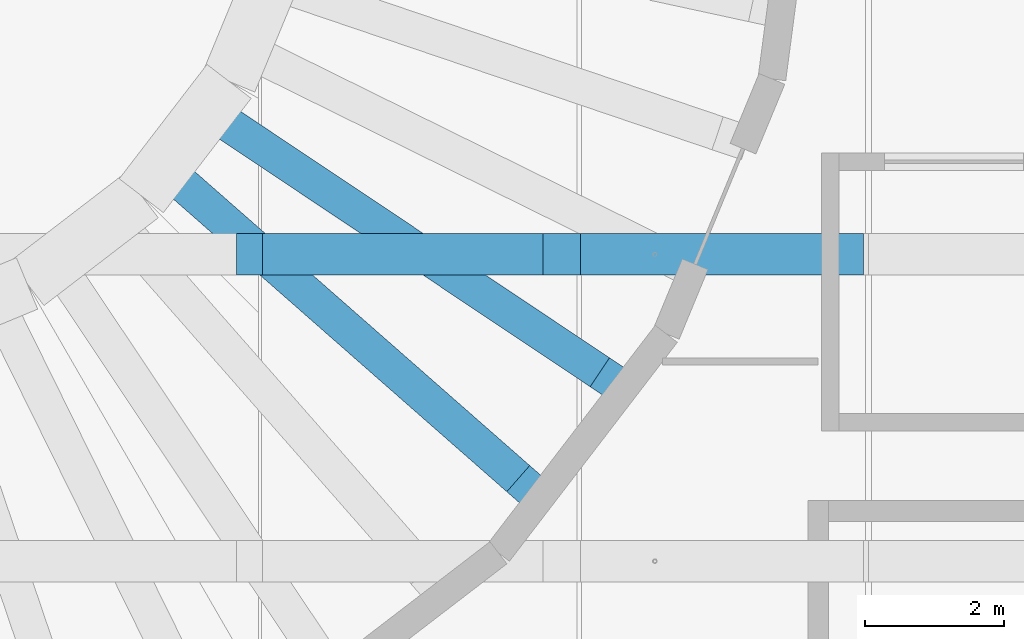
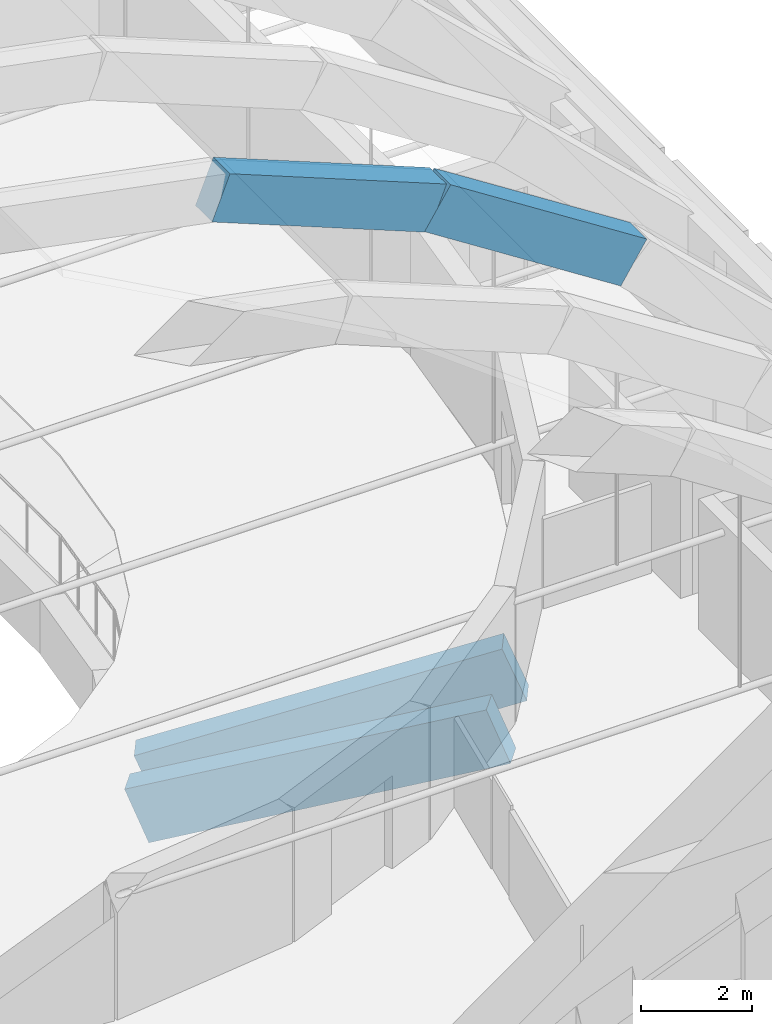
# One storey, part 38 of 94: 4 beams.
"""IFC4 building model written with IfcOpenShell, lengths in metres."""

from ifc_helpers import new_model, si_unit, direction, frame, origin, origin_2d, place, context, subcontext, project, spatial, rectangle, extrude, material, material_profile, profile_set, type_object, element, save


model = new_model("IFC4")

# Units and contexts
model_context = context("Model", 3, precision=1e-05, world=origin(), true_north=direction((0.0, 1.0)))
body_context = subcontext(model_context, "Body", "Model", "MODEL_VIEW")
ifc_project = project(units=[si_unit("LENGTHUNIT", "METRE"), si_unit("AREAUNIT", "SQUARE_METRE"), si_unit("VOLUMEUNIT", "CUBIC_METRE"), si_unit("PLANEANGLEUNIT", "RADIAN"), si_unit("MASSUNIT", "GRAM", prefix="KILO")], contexts=[model_context])

# Site, building, storey
site_placement = place(None, origin())
site = spatial("IfcSite", under=ifc_project, at=site_placement, CompositionType="ELEMENT")
building_placement = place(site_placement, origin())
building = spatial("IfcBuilding", under=site, at=building_placement, Name="Lunette Opera House", CompositionType="ELEMENT")
storey_placement = place(building_placement, frame((0.0, 0.0, 22.5)))
storey = spatial("IfcBuildingStorey", under=building, at=storey_placement, Name="L04", CompositionType="ELEMENT", Elevation=22.5)

# Beams
ifc_material_1 = material(Name="Concrete C40/50", Category="concrete")
ifc_material_profile_1 = material_profile(ifc_material_1, rectangle(XDim=0.60009765625, YDim=1.0, at=origin_2d()), Name="ARCH BEAM 600X1000")
ifc_profile_set_1 = profile_set([ifc_material_profile_1], Name="Concrete C40/50")
beam_type_1 = type_object("IfcBeamType", Name="ARCH BEAM 600X1000", PredefinedType="BEAM", material=ifc_profile_set_1)
beam_1_placement = place(storey_placement, frame((103.1689453125, 77.54296875, 10.346923828125), z_axis=(0.92830257193, 0.0, -0.371825678172), x_axis=(0.0, 1.0, 0.0)))
element("IfcBeam", 1, at=beam_1_placement, inside=storey, type_object=beam_type_1, Name="beam-AU-L04-EA4-7", PredefinedType="BEAM", context=body_context, shape_type="SweptSolid", body=[
    extrude(rectangle(XDim=0.60009765625, YDim=1.0, at=origin_2d()), origin(), (0.0, 0.0, 1.0), 4.837890625),
])
beam_2_placement = place(storey_placement, frame((107.659912109375, 77.54296875, 8.548095703125), z_axis=(0.84120306647, 0.0, -0.54071933659), x_axis=(0.0, 1.0, 0.0)))
element("IfcBeam", 2, at=beam_2_placement, inside=storey, type_object=beam_type_1, Name="beam-AU-L04-EA4-8", PredefinedType="BEAM", context=body_context, shape_type="SweptSolid", body=[
    extrude(rectangle(XDim=0.60009765625, YDim=1.0, at=origin_2d()), origin(), (0.0, 0.0, 1.0), 4.83837890625),
])
ifc_material_2 = material(Name="Concrete C35/45", Category="concrete")
ifc_material_profile_2 = material_profile(ifc_material_2, rectangle(XDim=0.5, YDim=1.199951171875, at=origin_2d()), Name="RAKER BEAM 500X1200")
ifc_profile_set_2 = profile_set([ifc_material_profile_2], Name="Concrete C35/45")
beam_type_2 = type_object("IfcBeamType", Name="RAKER BEAM 500X1200", PredefinedType="BEAM", material=ifc_profile_set_2)
beam_3_placement = place(storey_placement, frame((107.202880859375, 74.169921875, -0.845947265625), z_axis=(-0.698096217019, 0.612605269371, -0.370643299849), x_axis=(-0.659583942645, -0.751630908495, 0.0)))
element("IfcBeam", 3, at=beam_3_placement, inside=storey, type_object=beam_type_2, Name="beam-AU-L04-RKT3-11-1", PredefinedType="BEAM", context=body_context, shape_type="SweptSolid", body=[
    extrude(rectangle(XDim=0.5, YDim=1.199951171875, at=origin_2d()), origin(), (0.0, 0.0, 1.0), 7.133544921875),
])
beam_4_placement = place(storey_placement, frame((108.39404296875, 75.722900390625, -0.845947265625), z_axis=(-0.772351504603, 0.515813745818, -0.370687648786), x_axis=(-0.555380380802, -0.831596436152, 0.0)))
element("IfcBeam", 4, at=beam_4_placement, inside=storey, type_object=beam_type_2, Name="beam-AU-L04-RKT3-11-2", PredefinedType="BEAM", context=body_context, shape_type="SweptSolid", body=[
    extrude(rectangle(XDim=0.5, YDim=1.199951171875, at=origin_2d()), origin(), (0.0, 0.0, 1.0), 7.1328125),
])

save(model, "model.ifc")
